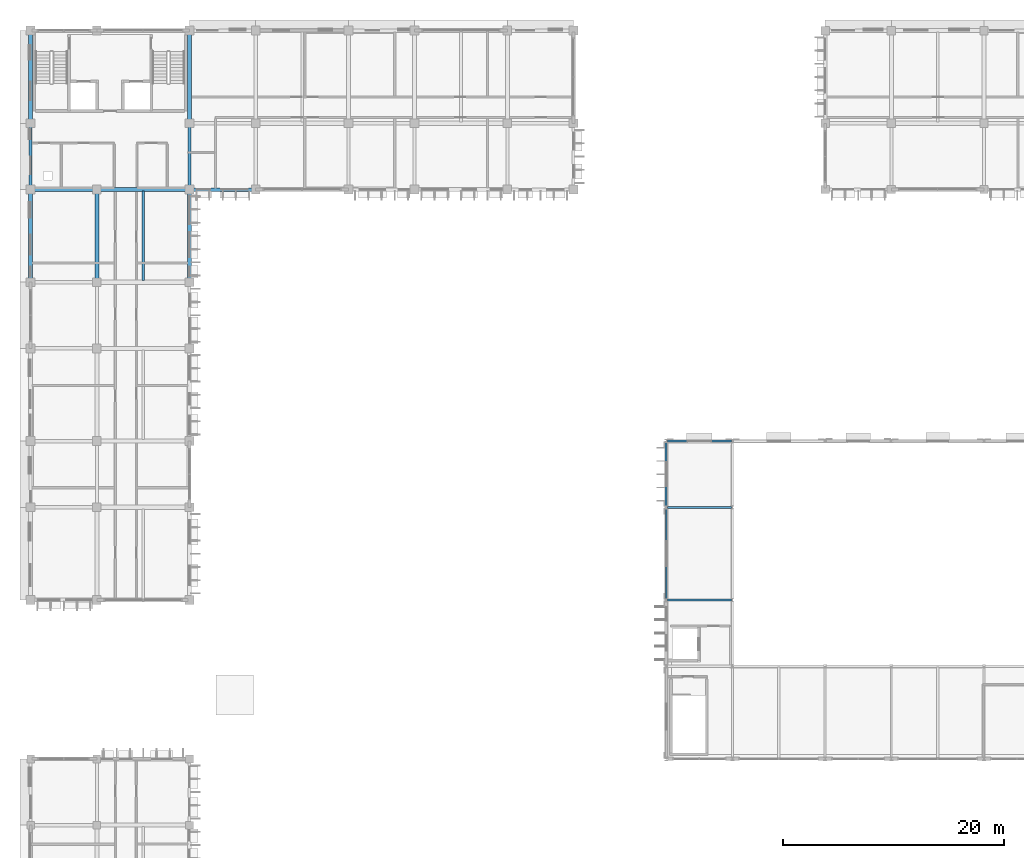
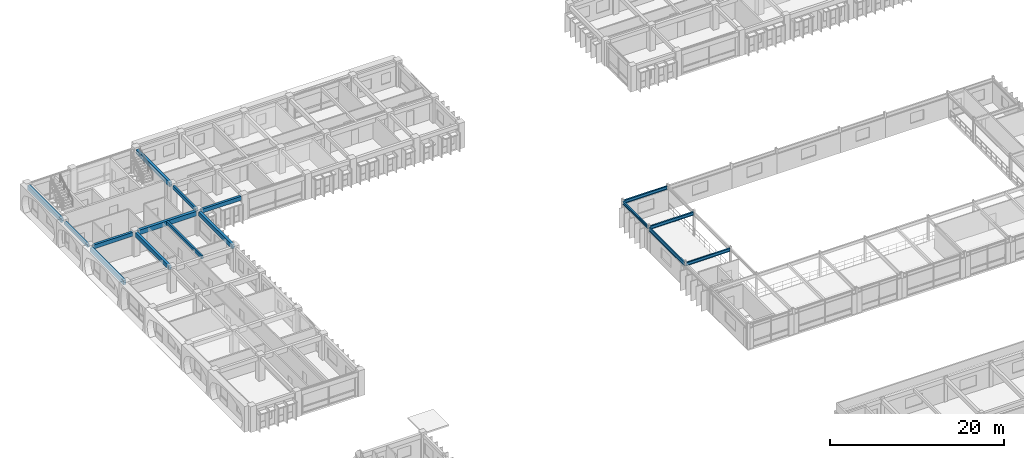
# One storey, part 24 of 88: 16 beams.
"""IFC4 building model written with IfcOpenShell, lengths in metres."""

from ifc_helpers import new_model, si_unit, direction, frame, origin, origin_2d, place, context, subcontext, project, spatial, rectangle, i_section, extrude, material, material_profile, profile_set, type_object, element, save


model = new_model("IFC4")

# Units and contexts
model_context = context("Model", 3, precision=1e-05, world=origin(), true_north=direction((0.0, 1.0)))
body_context = subcontext(model_context, "Body", "Model", "MODEL_VIEW")
ifc_project = project(units=[si_unit("LENGTHUNIT", "METRE"), si_unit("AREAUNIT", "SQUARE_METRE"), si_unit("VOLUMEUNIT", "CUBIC_METRE"), si_unit("PLANEANGLEUNIT", "RADIAN"), si_unit("MASSUNIT", "GRAM", prefix="KILO"), si_unit("THERMODYNAMICTEMPERATUREUNIT", "KELVIN")], contexts=[model_context])

# Site, building, storey
site_placement = place(None, origin())
site = spatial("IfcSite", under=ifc_project, at=site_placement, CompositionType="ELEMENT")
building_placement = place(site_placement, origin())
building = spatial("IfcBuilding", under=site, at=building_placement, Name="Thalorik Housing Commons", CompositionType="ELEMENT")
storey_placement = place(building_placement, frame((0.0, 0.0, 4.5)))
storey = spatial("IfcBuildingStorey", under=building, at=storey_placement, Name="L01", CompositionType="ELEMENT", Elevation=4.5)

# Beams
ifc_material_1 = material(Name="Precast concrete C40/50", Category="concrete")
ifc_material_profile_1 = material_profile(ifc_material_1, rectangle(XDim=0.280029296875, YDim=0.449951171875, at=origin_2d()), Name="PC 280x450", Category="concrete")
ifc_profile_set_1 = profile_set([ifc_material_profile_1], Name="Precast concrete C40/50")
beam_type_1 = type_object("IfcBeamType", Name="STR-BM-PC280x450", PredefinedType="BEAM", material=ifc_profile_set_1)
for number, where, z_axis, x_axis, name in (
    (1, (8.39990234375, 109.550048828125, 3.114990234375), (0.0, 1.0, 0.0), (-1.0, 0.0, 0.0), "L01 Beam B-450"),
    (2, (22.800048828125, 109.550048828125, 3.114990234375), (0.0, 1.0, 0.0), (-1.0, 0.0, 0.0), "L01 Beam B-450"),
):
    element("IfcBeam", number, at=place(storey_placement, frame(where, z_axis=z_axis, x_axis=x_axis)), inside=storey, type_object=beam_type_1, Name=name, PredefinedType="BEAM", context=body_context, shape_type="SweptSolid", body=[
        extrude(rectangle(XDim=0.280029296875, YDim=0.449951171875, at=origin_2d()), origin(), (0.0, 0.0, 1.0), 5.300048828125),
    ])
ifc_material_profile_2 = material_profile(ifc_material_1, rectangle(XDim=0.320068359375, YDim=0.550048828125, at=origin_2d()), Name="PC 320x550", Category="concrete")
ifc_profile_set_2 = profile_set([ifc_material_profile_2], Name="Precast concrete C40/50")
beam_type_2 = type_object("IfcBeamType", Name="STR-BM-PC320x550", PredefinedType="BEAM", material=ifc_profile_set_2)
for number, where, z_axis, x_axis, name in (
    (3, (8.75, 109.199951171875, 3.06494140625), (1.0, 0.0, 0.0), (0.0, 1.0, 0.0), "L01 Beam B-550"),
    (4, (23.14990234375, 109.199951171875, 3.06494140625), (1.0, 0.0, 0.0), (0.0, 1.0, 0.0), "L01 Beam B-550"),
):
    element("IfcBeam", number, at=place(storey_placement, frame(where, z_axis=z_axis, x_axis=x_axis)), inside=storey, type_object=beam_type_2, Name=name, PredefinedType="BEAM", context=body_context, shape_type="SweptSolid", body=[
        extrude(rectangle(XDim=0.320068359375, YDim=0.550048828125, at=origin_2d()), origin(), (0.0, 0.0, 1.0), 5.300048828125),
    ])
ifc_material_profile_3 = material_profile(ifc_material_1, rectangle(XDim=0.35009765625, YDim=0.60009765625, at=origin_2d()), Name="PC 350x600", Category="concrete")
ifc_profile_set_3 = profile_set([ifc_material_profile_3], Name="Precast concrete C40/50")
beam_type_3 = type_object("IfcBeamType", Name="STR-BM-PC350x600", PredefinedType="BEAM", material=ifc_profile_set_3)
beam_1_placement = place(storey_placement, frame((8.39990234375, 101.14990234375, 3.0400390625), z_axis=(0.0, 1.0, 0.0), x_axis=(-1.0, 0.0, 0.0)))
element("IfcBeam", 5, at=beam_1_placement, inside=storey, type_object=beam_type_3, Name="L01 Beam B-600", PredefinedType="BEAM", context=body_context, shape_type="SweptSolid", body=[
    extrude(rectangle(XDim=0.35009765625, YDim=0.60009765625, at=origin_2d()), origin(), (0.0, 0.0, 1.0), 7.7001953125),
])
beam_2_placement = place(storey_placement, frame((8.39990234375, 115.550048828125, 3.0400390625), z_axis=(0.0, 1.0, 0.0), x_axis=(-1.0, 0.0, 0.0)))
element("IfcBeam", 6, at=beam_2_placement, inside=storey, type_object=beam_type_3, Name="L01 Beam B-600", PredefinedType="BEAM", context=body_context, shape_type="SweptSolid", body=[
    extrude(rectangle(XDim=0.35009765625, YDim=0.60009765625, at=origin_2d()), origin(), (0.0, 0.0, 1.0), 7.699951171875),
])
for number, where, z_axis, x_axis, name in (
    (7, (14.39990234375, 101.14990234375, 3.0400390625), (0.0, 1.0, 0.0), (-1.0, 0.0, 0.0), "L01 Beam B-600"),
    (8, (22.800048828125, 101.14990234375, 3.0400390625), (0.0, 1.0, 0.0), (-1.0, 0.0, 0.0), "L01 Beam B-600"),
):
    element("IfcBeam", number, at=place(storey_placement, frame(where, z_axis=z_axis, x_axis=x_axis)), inside=storey, type_object=beam_type_3, Name=name, PredefinedType="BEAM", context=body_context, shape_type="SweptSolid", body=[
        extrude(rectangle(XDim=0.35009765625, YDim=0.60009765625, at=origin_2d()), origin(), (0.0, 0.0, 1.0), 7.7001953125),
    ])
beam_3_placement = place(storey_placement, frame((22.800048828125, 115.550048828125, 3.0400390625), z_axis=(0.0, 1.0, 0.0), x_axis=(-1.0, 0.0, 0.0)))
element("IfcBeam", 9, at=beam_3_placement, inside=storey, type_object=beam_type_3, Name="L01 Beam B-600", PredefinedType="BEAM", context=body_context, shape_type="SweptSolid", body=[
    extrude(rectangle(XDim=0.35009765625, YDim=0.60009765625, at=origin_2d()), origin(), (0.0, 0.0, 1.0), 7.699951171875),
])
ifc_material_profile_4 = material_profile(ifc_material_1, rectangle(XDim=0.3798828125, YDim=0.64990234375, at=origin_2d()), Name="PC 380x650", Category="concrete")
ifc_profile_set_4 = profile_set([ifc_material_profile_4], Name="Precast concrete C40/50")
beam_type_4 = type_object("IfcBeamType", Name="STR-BM-PC380x650", PredefinedType="BEAM", material=ifc_profile_set_4)
beam_4_placement = place(storey_placement, frame((14.75, 109.199951171875, 3.014892578125), z_axis=(1.0, 0.0, 0.0), x_axis=(0.0, 1.0, 0.0)))
element("IfcBeam", 10, at=beam_4_placement, inside=storey, type_object=beam_type_4, Name="L01 Beam B-650", PredefinedType="BEAM", context=body_context, shape_type="SweptSolid", body=[
    extrude(rectangle(XDim=0.3798828125, YDim=0.64990234375, at=origin_2d()), origin(), (0.0, 0.0, 1.0), 7.699951171875),
])
ifc_material_2 = material(Name="Steel S355", Category="steel")
ifc_material_profile_5 = material_profile(ifc_material_2, i_section(OverallWidth=0.179931640625, OverallDepth=0.4130859375, WebThickness=0.009765625, FlangeThickness=0.01611328125, FilletRadius=0.010986328125, at=origin_2d()), Name="W410x75", Category="steel")
ifc_profile_set_5 = profile_set([ifc_material_profile_5], Name="Steel S355")
beam_type_5 = type_object("IfcBeamType", Name="STR-BM-W410x75", PredefinedType="BEAM", material=ifc_profile_set_5)
beam_5_placement = place(storey_placement, frame((66.0, 80.50390625, 3.133544921875), z_axis=(0.0, 1.0, 0.0), x_axis=(-1.0, 0.0, 0.0)))
element("IfcBeam", 11, at=beam_5_placement, inside=storey, type_object=beam_type_5, Name="L01 Beam SB-410", PredefinedType="BEAM", context=body_context, shape_type="SweptSolid", body=[
    extrude(i_section(OverallWidth=0.179931640625, OverallDepth=0.4130859375, WebThickness=0.009765625, FlangeThickness=0.01611328125, FilletRadius=0.010986328125, at=origin_2d()), origin(), (0.0, 0.0, 1.0), 5.7919921875),
])
ifc_material_profile_6 = material_profile(ifc_material_2, i_section(OverallWidth=0.19189453125, OverallDepth=0.462890625, WebThickness=0.010498046875, FlangeThickness=0.017578125, FilletRadius=0.011962890625, at=origin_2d()), Name="W460x89", Category="steel")
ifc_profile_set_6 = profile_set([ifc_material_profile_6], Name="Steel S355")
beam_type_6 = type_object("IfcBeamType", Name="STR-BM-W460x89", PredefinedType="BEAM", material=ifc_profile_set_6)
for number, where, z_axis, x_axis, name in (
    (12, (66.10498046875, 72.0, 3.1083984375), (1.0, 0.0, 0.0), (0.0, 1.0, 0.0), "L01 Beam SB-460"),
    (13, (66.10498046875, 80.39990234375, 3.1083984375), (1.0, 0.0, 0.0), (0.0, 1.0, 0.0), "L01 Beam SB-460"),
):
    element("IfcBeam", number, at=place(storey_placement, frame(where, z_axis=z_axis, x_axis=x_axis)), inside=storey, type_object=beam_type_6, Name=name, PredefinedType="BEAM", context=body_context, shape_type="SweptSolid", body=[
        extrude(i_section(OverallWidth=0.19189453125, OverallDepth=0.462890625, WebThickness=0.010498046875, FlangeThickness=0.017578125, FilletRadius=0.011962890625, at=origin_2d()), origin(), (0.0, 0.0, 1.0), 5.81494140625),
    ])
beam_6_placement = place(storey_placement, frame((66.10498046875, 86.39990234375, 3.1083984375), z_axis=(1.0, 0.0, 0.0), x_axis=(0.0, 1.0, 0.0)))
element("IfcBeam", 14, at=beam_6_placement, inside=storey, type_object=beam_type_6, Name="L01 Beam SB-460", PredefinedType="BEAM", context=body_context, shape_type="SweptSolid", body=[
    extrude(i_section(OverallWidth=0.19189453125, OverallDepth=0.462890625, WebThickness=0.010498046875, FlangeThickness=0.017578125, FilletRadius=0.011962890625, at=origin_2d()), origin(), (0.0, 0.0, 1.0), 5.7900390625),
])
ifc_material_profile_7 = material_profile(ifc_material_2, i_section(OverallWidth=0.166015625, OverallDepth=0.534912109375, WebThickness=0.01025390625, FlangeThickness=0.0166015625, FilletRadius=0.012939453125, at=origin_2d()), Name="W530x85", Category="steel")
ifc_profile_set_7 = profile_set([ifc_material_profile_7], Name="Steel S355")
beam_type_7 = type_object("IfcBeamType", Name="STR-BM-W530x85", PredefinedType="BEAM", material=ifc_profile_set_7)
beam_7_placement = place(storey_placement, frame((66.0, 72.10400390625, 3.072509765625), z_axis=(0.0, 1.0, 0.0), x_axis=(-1.0, 0.0, 0.0)))
element("IfcBeam", 15, at=beam_7_placement, inside=storey, type_object=beam_type_7, Name="L01 Beam SB-535", PredefinedType="BEAM", context=body_context, shape_type="SweptSolid", body=[
    extrude(i_section(OverallWidth=0.166015625, OverallDepth=0.534912109375, WebThickness=0.01025390625, FlangeThickness=0.0166015625, FilletRadius=0.012939453125, at=origin_2d()), origin(), (0.0, 0.0, 1.0), 8.19189453125),
])
ifc_material_profile_8 = material_profile(ifc_material_1, rectangle(XDim=0.239990234375, YDim=0.43994140625, at=origin_2d()), Name="PC JST 240x440", Category="concrete")
ifc_profile_set_8 = profile_set([ifc_material_profile_8], Name="Precast concrete C40/50")
beam_type_8 = type_object("IfcBeamType", Name="STR-JST-PC240x440", PredefinedType="JOIST", material=ifc_profile_set_8)
beam_8_placement = place(storey_placement, frame((18.60009765625, 100.93994140625, 3.1201171875), z_axis=(0.0, 1.0, 0.0), x_axis=(-1.0, 0.0, 0.0)))
element("IfcBeam", 16, at=beam_8_placement, inside=storey, type_object=beam_type_8, Name="L01 Beam J-440", PredefinedType="JOIST", context=body_context, shape_type="SweptSolid", body=[
    extrude(rectangle(XDim=0.239990234375, YDim=0.43994140625, at=origin_2d()), origin(), (0.0, 0.0, 1.0), 8.1201171875),
])

save(model, "model.ifc")
